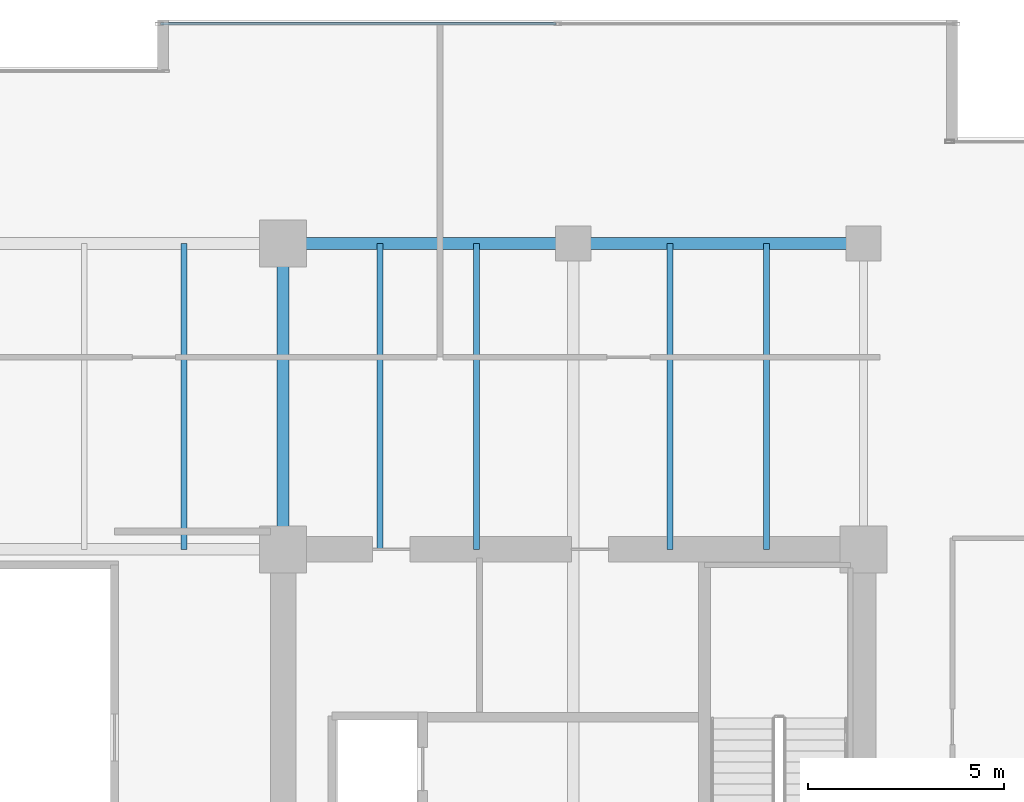
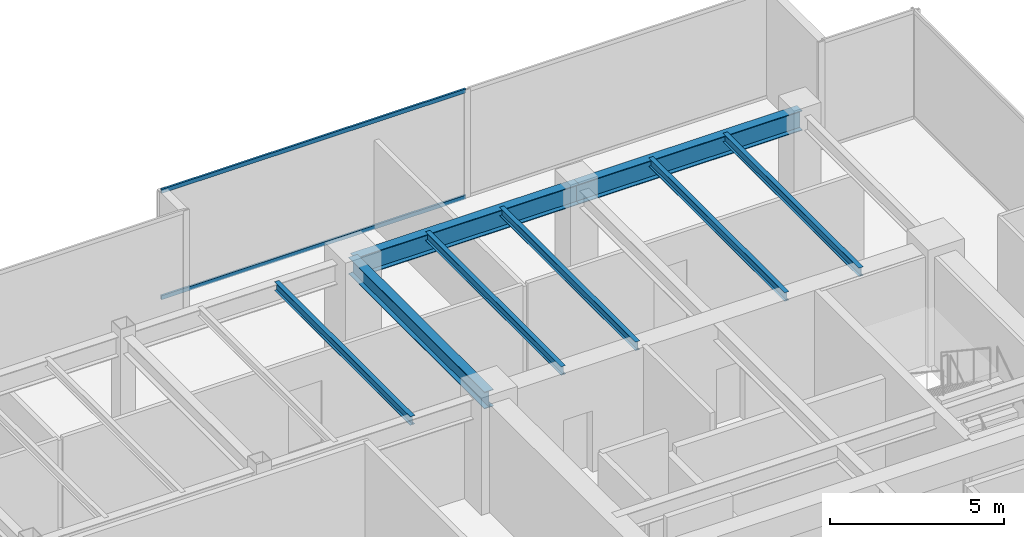
# One storey, part 19 of 30: 8 beams, 2 members, 1 element without a shape of its own.
"""IFC4 building model written with IfcOpenShell, lengths in metres."""

from ifc_helpers import new_model, si_unit, direction, frame, origin, origin_2d, place, context, subcontext, project, spatial, hollow_rectangle, i_section, extrude, source, transform, mapped, material, layer, layer_set, material_profile, profile_set, type_object, type_shapes, element, aggregate, save


model = new_model("IFC4")

# Units and contexts
model_context = context("Model", 3, precision=1e-05, world=origin(), true_north=direction((0.0, 1.0)))
body_context = subcontext(model_context, "Body", "Model", "MODEL_VIEW")
ifc_project = project(units=[si_unit("LENGTHUNIT", "METRE"), si_unit("AREAUNIT", "SQUARE_METRE"), si_unit("VOLUMEUNIT", "CUBIC_METRE"), si_unit("PLANEANGLEUNIT", "RADIAN"), si_unit("MASSUNIT", "GRAM", prefix="KILO")], contexts=[model_context])

# Site, building, storey
site_placement = place(None, origin())
site = spatial("IfcSite", under=ifc_project, at=site_placement, CompositionType="ELEMENT")
building_placement = place(site_placement, origin())
building = spatial("IfcBuilding", under=site, at=building_placement, Name="Haelvirn Gate Laboratories", CompositionType="ELEMENT")
storey_placement = place(building_placement, frame((0.0, 0.0, 162.5)))
storey = spatial("IfcBuildingStorey", under=building, at=storey_placement, Name="L39", CompositionType="ELEMENT", Elevation=162.5)

# Beams
ifc_material_1 = material(Name="Steel SM355", Category="steel")
ifc_material_profile_1 = material_profile(ifc_material_1, i_section(OverallWidth=0.300048828125, OverallDepth=0.699951171875, WebThickness=0.012939453125, FlangeThickness=0.02392578125, at=origin_2d()), Name="H-700x300x13x24")
ifc_profile_set_1 = profile_set([ifc_material_profile_1], Name="Steel SM355")
beam_type_1 = type_object("IfcBeamType", Name="BM-G-700", PredefinedType="BEAM", material=ifc_profile_set_1)
shared_shape_1 = source(origin(), body_context, "Body", "SweptSolid", [
    extrude(i_section(OverallWidth=0.300048828125, OverallDepth=0.699951171875, WebThickness=0.012939453125, FlangeThickness=0.02392578125, at=origin_2d()), origin(), (0.0, 0.0, 1.0), 7.39990234375),
])
type_shapes(beam_type_1, [shared_shape_1])
for number, where, z_axis, x_axis, name in (
    (1, (52.60009765625, 41.60009765625, 3.43994140625), (1.0, 0.0, 0.0), (0.0, 1.0, 0.0), "L39 Primary Girder Y41.6 (52.6-60.0)"),
    (2, (60.0, 41.60009765625, 3.43994140625), (1.0, 0.0, 0.0), (0.0, 1.0, 0.0), "L39 Primary Girder Y41.6 (60.0-67.4)"),
):
    element("IfcBeam", number, at=place(storey_placement, frame(where, z_axis=z_axis, x_axis=x_axis)), inside=storey, type_object=beam_type_1, Name=name, PredefinedType="BEAM", context=body_context, shape_type="MappedRepresentation", body=[
        mapped(shared_shape_1, transform((0.0, 0.0, 0.0), scale=1.0)),
    ])
ifc_material_profile_2 = material_profile(ifc_material_1, i_section(OverallWidth=0.14990234375, OverallDepth=0.300048828125, WebThickness=0.006591796875, FlangeThickness=0.009033203125, at=origin_2d()), Name="H-300x150x6.5x9")
ifc_profile_set_2 = profile_set([ifc_material_profile_2], Name="Steel SM355")
beam_type_2 = type_object("IfcBeamType", Name="BM-J-300", PredefinedType="JOIST", material=ifc_profile_set_2)
shared_shape_2 = source(origin(), body_context, "Body", "SweptSolid", [
    extrude(i_section(OverallWidth=0.14990234375, OverallDepth=0.300048828125, WebThickness=0.006591796875, FlangeThickness=0.009033203125, at=origin_2d()), origin(), (0.0, 0.0, 1.0), 7.800048828125),
])
type_shapes(beam_type_2, [shared_shape_2])
for number, where, z_axis, x_axis, name in (
    (3, (50.070068359375, 33.800048828125, 3.639892578125), (0.0, 1.0, 0.0), (-1.0, 0.0, 0.0), "L39 Composite Lab Joist North X50.07"),
    (4, (55.070068359375, 33.800048828125, 3.639892578125), (0.0, 1.0, 0.0), (-1.0, 0.0, 0.0), "L39 Composite Lab Joist North X55.07"),
    (5, (57.530029296875, 33.800048828125, 3.639892578125), (0.0, 1.0, 0.0), (-1.0, 0.0, 0.0), "L39 Composite Lab Joist North X57.53"),
    (6, (62.469970703125, 33.800048828125, 3.639892578125), (0.0, 1.0, 0.0), (-1.0, 0.0, 0.0), "L39 Composite Lab Joist North X62.47"),
    (7, (64.929931640625, 33.800048828125, 3.639892578125), (0.0, 1.0, 0.0), (-1.0, 0.0, 0.0), "L39 Composite Lab Joist North X64.93"),
):
    element("IfcBeam", number, at=place(storey_placement, frame(where, z_axis=z_axis, x_axis=x_axis)), inside=storey, type_object=beam_type_2, Name=name, PredefinedType="JOIST", context=body_context, shape_type="MappedRepresentation", body=[
        mapped(shared_shape_2, transform((0.0, 0.0, 0.0), scale=1.0)),
    ])
ifc_material_profile_3 = material_profile(ifc_material_1, i_section(OverallWidth=0.300048828125, OverallDepth=0.587890625, WebThickness=0.011962890625, FlangeThickness=0.02001953125, at=origin_2d()), Name="H-588x300x12x20")
ifc_profile_set_3 = profile_set([ifc_material_profile_3], Name="Steel SM355")
beam_type_3 = type_object("IfcBeamType", Name="BM-G-588", PredefinedType="BEAM", material=ifc_profile_set_3)
shared_shape_3 = source(origin(), body_context, "Body", "SweptSolid", [
    extrude(i_section(OverallWidth=0.300048828125, OverallDepth=0.587890625, WebThickness=0.011962890625, FlangeThickness=0.02001953125, at=origin_2d()), origin(), (0.0, 0.0, 1.0), 7.800048828125),
])
type_shapes(beam_type_3, [shared_shape_3])
beam_placement = place(storey_placement, frame((52.60009765625, 33.800048828125, 3.49609375), z_axis=(0.0, 1.0, 0.0), x_axis=(-1.0, 0.0, 0.0)))
element("IfcBeam", 8, at=beam_placement, inside=storey, type_object=beam_type_3, Name="L39 Frame Girder X52.6 (33.8-41.6)", PredefinedType="BEAM", context=body_context, shape_type="MappedRepresentation", body=[
    mapped(shared_shape_3, transform((0.0, 0.0, 0.0), scale=1.0)),
])

# Curtain wall, members
ifc_material_2 = material(Name="Anodised bronze unitised aluminium & triple low-E glass", Category="aluminium")
ifc_layer = layer(ifc_material_2, 0.179931640625, Name="CW-SYS-3")
ifc_layer_set = layer_set([ifc_layer], Name="Anodised bronze unitised aluminium & triple low-E glass")
curtain_wall_type = type_object("IfcCurtainWallType", Name="CW-SYS-3", PredefinedType="NOTDEFINED", material=ifc_layer_set)
curtain_wall_placement = place(storey_placement, origin())
curtain_wall = element("IfcCurtainWall", 9, at=curtain_wall_placement, inside=storey, type_object=curtain_wall_type, Name="L39 Unitised Curtain Wall CW-L39-P0-E10-1", PredefinedType="NOTDEFINED")
ifc_material_3 = material(Name="Extruded aluminium 6063-T6 (anodised bronze)", Category="aluminium")
ifc_material_profile_4 = material_profile(ifc_material_3, hollow_rectangle(XDim=0.06494140625, YDim=0.139892578125, WallThickness=0.00390625, at=origin_2d()), Name="CWT-140x65x4")
ifc_profile_set_4 = profile_set([ifc_material_profile_4], Name="Extruded aluminium 6063-T6 (anodised bronze)")
member_type = type_object("IfcMemberType", Name="CWT-T140", PredefinedType="USERDEFINED", material=ifc_profile_set_4)
shared_shape_4 = source(origin(), body_context, "Body", "SweptSolid", [
    extrude(hollow_rectangle(XDim=0.06494140625, YDim=0.139892578125, WallThickness=0.00390625, at=origin_2d()), origin(), (0.0, 0.0, 1.0), 10.08740234375),
])
type_shapes(member_type, [shared_shape_4])
member_1_placement = place(storey_placement, frame((49.47509765625, 47.199951171875, 0.032470703125), z_axis=(1.0, 0.0, 0.0), x_axis=(0.0, 1.0, 0.0)))
member_1 = element("IfcMember", 10, at=member_1_placement, type_object=member_type, Name="CW3 transom 1.1", ObjectType="TRANSOM", PredefinedType="USERDEFINED", context=body_context, shape_type="MappedRepresentation", body=[
    mapped(shared_shape_4, transform((0.0, 0.0, 0.0), scale=1.0)),
])
member_2_placement = place(storey_placement, frame((49.47509765625, 47.199951171875, 3.757568359375), z_axis=(1.0, 0.0, 0.0), x_axis=(0.0, 1.0, 0.0)))
member_2 = element("IfcMember", 11, at=member_2_placement, type_object=member_type, Name="CW3 transom 1.2", ObjectType="TRANSOM", PredefinedType="USERDEFINED", context=body_context, shape_type="MappedRepresentation", body=[
    mapped(shared_shape_4, transform((0.0, 0.0, 0.0), scale=1.0)),
])
aggregate(curtain_wall, [member_1, member_2])

save(model, "model.ifc")
